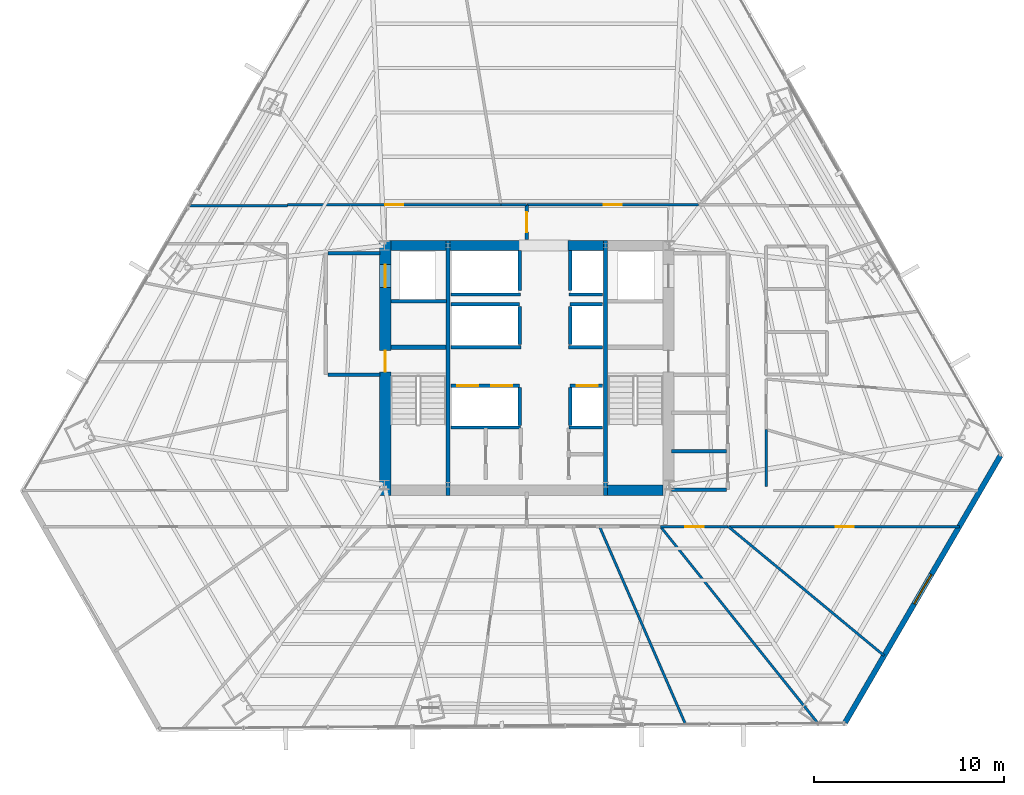
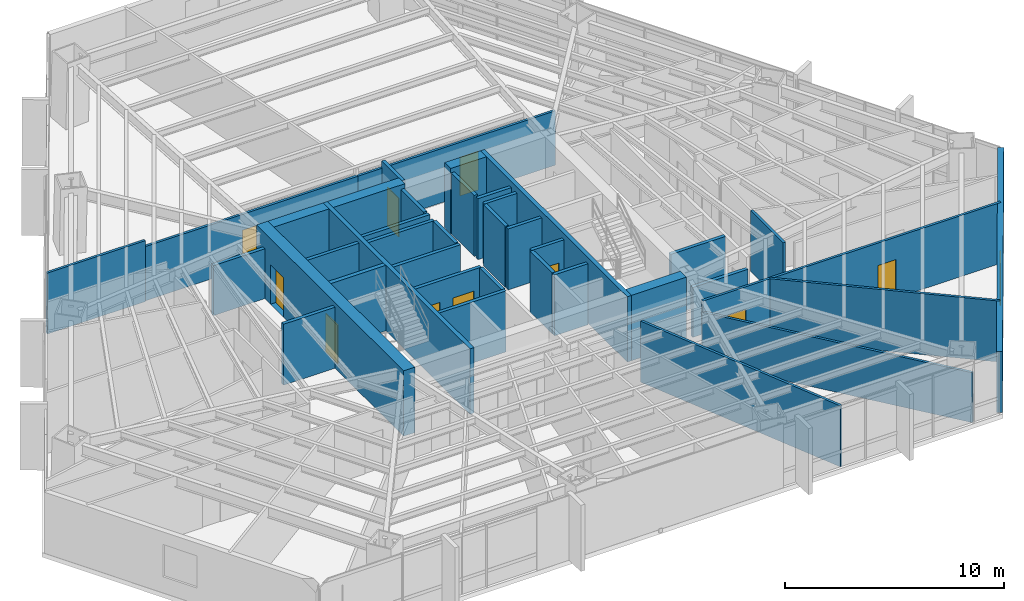
# One storey, part 33 of 38: 41 walls, 10 doors, 1 window, 11 openings.
"""IFC4 building model written with IfcOpenShell, lengths in metres."""

from ifc_helpers import new_model, si_unit, direction, frame, frame_2d, origin, place, context, subcontext, project, spatial, rectangle, extrude, material, layer, layer_set, type_object, element, fill, save


model = new_model("IFC4")

# Units and contexts
model_context = context("Model", 3, precision=1e-05, world=origin(), true_north=direction((0.0, 1.0)))
body_context = subcontext(model_context, "Body", "Model", "MODEL_VIEW")
ifc_project = project(units=[si_unit("LENGTHUNIT", "METRE"), si_unit("AREAUNIT", "SQUARE_METRE"), si_unit("VOLUMEUNIT", "CUBIC_METRE"), si_unit("PLANEANGLEUNIT", "RADIAN"), si_unit("MASSUNIT", "GRAM", prefix="KILO")], contexts=[model_context])

# Site, building, storey
site_placement = place(None, origin())
site = spatial("IfcSite", under=ifc_project, at=site_placement, CompositionType="ELEMENT")
building_placement = place(site_placement, origin())
building = spatial("IfcBuilding", under=site, at=building_placement, Name="Caelisora Broadcast Tower", CompositionType="ELEMENT")
storey_placement = place(building_placement, frame((0.0, 0.0, 67.75)))
storey = spatial("IfcBuildingStorey", under=building, at=storey_placement, Name="L17", CompositionType="ELEMENT", Elevation=67.75)

# Wall, openings, doors
ifc_material_1 = material(Name="Concrete 65 MPa (AS 3600 S65)", Category="concrete")
ifc_layer_1 = layer(ifc_material_1, 0.60009765625, Name="Concrete 65 MPa (AS 3600 S65)")
ifc_layer_set_1 = layer_set([ifc_layer_1], Name="Concrete 65 MPa (AS 3600 S65)")
wall_type_1 = type_object("IfcWallType", Name="CW1", PredefinedType="SHEAR", material=ifc_layer_set_1)
wall_1_placement = place(storey_placement, frame((30.5400390625, 16.85009765625, 0.0), z_axis=(0.0, 0.0, 1.0), x_axis=(0.0, 1.0, 0.0)))
wall_1 = element("IfcWall", 1, at=wall_1_placement, inside=storey, type_object=wall_type_1, Name="L17 core shear wall CW1", PredefinedType="SHEAR", context=body_context, shape_type="SweptSolid", body=[
    extrude(rectangle(XDim=13.4248046875, YDim=0.60009765625, at=frame_2d((6.71240234375, 0.0))), origin(), (0.0, 0.0, 1.0), 3.64990234375),
])
opening_1_placement = place(wall_1_placement, frame((6.5, 0.0, 0.0)))
opening_1 = element("IfcOpeningElement", 2, at=opening_1_placement, cuts=wall_1, Name="Opening FD04", PredefinedType="OPENING", context=body_context, shape_type="SweptSolid", body=[
    extrude(rectangle(XDim=1.1201171875, YDim=2.14990234375, at=frame_2d((0.56005859375, 1.074951171875))), frame((0.0, 0.31201171875, 0.0), z_axis=(0.0, -1.0, 0.0), x_axis=(1.0, 0.0, 0.0)), (0.0, 0.0, 1.0), 0.6240234375),
])
opening_2_placement = place(wall_1_placement, frame((10.949951171875, 0.0, 0.0)))
opening_2 = element("IfcOpeningElement", 3, at=opening_2_placement, cuts=wall_1, Name="Opening LD04", PredefinedType="OPENING", context=body_context, shape_type="SweptSolid", body=[
    extrude(rectangle(XDim=1.199951171875, YDim=2.199951171875, at=frame_2d((0.60009765625, 1.10009765625))), frame((0.0, 0.31201171875, 0.0), z_axis=(0.0, -1.0, 0.0), x_axis=(1.0, 0.0, 0.0)), (0.0, 0.0, 1.0), 0.6240234375),
])
ifc_material_2 = material(Name="Pressurised Fire-Isolated Stair Door", Category="steel")
door_type_1 = type_object("IfcDoorType", Name="FD04", OperationType="NOTDEFINED", PredefinedType="DOOR", material=ifc_material_2)
door_1_placement = place(opening_1_placement, origin())
door_1 = element("IfcDoor", 4, at=door_1_placement, inside=storey, type_object=door_type_1, Name="L17 door FD04 (L17-DR-ST1)", OperationType="SINGLE_SWING_LEFT", OverallHeight=2.14990234375, OverallWidth=1.1201171875, PredefinedType="DOOR", context=body_context, shape_type="SweptSolid", body=[
    extrude(rectangle(XDim=1.1201171875, YDim=2.14990234375, at=frame_2d((0.56005859375, 1.074951171875))), frame((0.0, 0.02490234375, 0.0), z_axis=(0.0, -1.0, 0.0), x_axis=(1.0, 0.0, 0.0)), (0.0, 0.0, 1.0), 0.050048828125),
])
fill(opening_1, door_1)
ifc_material_3 = material(Name="Emergency Firefighting Lift Sliding Landing Door", Category="steel")
door_type_2 = type_object("IfcDoorType", Name="LD04", OperationType="NOTDEFINED", PredefinedType="DOOR", material=ifc_material_3)
door_2_placement = place(opening_2_placement, origin())
door_2 = element("IfcDoor", 5, at=door_2_placement, inside=storey, type_object=door_type_2, Name="L17 door LD04 (L17-LD-FFL1)", OperationType="SLIDING_TO_LEFT", OverallHeight=2.199951171875, OverallWidth=1.199951171875, PredefinedType="DOOR", context=body_context, shape_type="SweptSolid", body=[
    extrude(rectangle(XDim=1.199951171875, YDim=2.199951171875, at=frame_2d((0.60009765625, 1.10009765625))), frame((0.0, 0.02490234375, 0.0), z_axis=(0.0, -1.0, 0.0), x_axis=(1.0, 0.0, 0.0)), (0.0, 0.0, 1.0), 0.050048828125),
])
fill(opening_2, door_2)

# Walls
ifc_layer_2 = layer(ifc_material_1, 0.550048828125, Name="Concrete 65 MPa (AS 3600 S65)")
ifc_layer_set_2 = layer_set([ifc_layer_2], Name="Concrete 65 MPa (AS 3600 S65)")
wall_type_2 = type_object("IfcWallType", Name="CW4", PredefinedType="SHEAR", material=ifc_layer_set_2)
for number, where, z_axis, x_axis, name in (
    (6, (42.260009765625, 17.125, 0.0), (0.0, 0.0, 1.0), (1.0, 0.0, 0.0), "L17 core shear wall CW4"),
    (7, (30.840087890625, 30.0, 0.0), (0.0, 0.0, 1.0), (1.0, 0.0, 0.0), "L17 core shear wall CW4"),
):
    element("IfcWall", number, at=place(storey_placement, frame(where, z_axis=z_axis, x_axis=x_axis)), inside=storey, type_object=wall_type_2, Name=name, PredefinedType="SHEAR", context=body_context, shape_type="SweptSolid", body=[
        extrude(rectangle(XDim=2.89990234375, YDim=0.550048828125, at=frame_2d((1.449951171875, 0.0))), origin(), (0.0, 0.0, 1.0), 3.64990234375),
    ])
wall_2_placement = place(storey_placement, frame((33.9599609375, 30.0, 0.0), z_axis=(0.0, 0.0, 1.0), x_axis=(1.0, 0.0, 0.0)))
element("IfcWall", 8, at=wall_2_placement, inside=storey, type_object=wall_type_2, Name="L17 core shear wall CW4", PredefinedType="SHEAR", context=body_context, shape_type="SweptSolid", body=[
    extrude(rectangle(XDim=3.780029296875, YDim=0.550048828125, at=frame_2d((1.89013671875, 0.0))), origin(), (0.0, 0.0, 1.0), 3.64990234375),
])
wall_3_placement = place(storey_placement, frame((40.159912109375, 30.0, 0.0), z_axis=(0.0, 0.0, 1.0), x_axis=(1.0, 0.0, 0.0)))
element("IfcWall", 9, at=wall_3_placement, inside=storey, type_object=wall_type_2, Name="L17 core shear wall CW4", PredefinedType="SHEAR", context=body_context, shape_type="SweptSolid", body=[
    extrude(rectangle(XDim=1.880126953125, YDim=0.550048828125, at=frame_2d((0.93994140625, 0.0))), origin(), (0.0, 0.0, 1.0), 3.64990234375),
])
ifc_material_4 = material(Name="Concrete 50 MPa (AS 3600 S50)", Category="concrete")
ifc_layer_3 = layer(ifc_material_4, 0.219970703125, Name="Concrete 50 MPa (AS 3600 S50)")
ifc_layer_set_3 = layer_set([ifc_layer_3], Name="Concrete 50 MPa (AS 3600 S50)")
wall_type_3 = type_object("IfcWallType", Name="CW7", PredefinedType="SHEAR", material=ifc_layer_set_3)
for number, where, z_axis, x_axis, name in (
    (10, (33.85009765625, 16.85009765625, 0.0), (0.0, 0.0, 1.0), (0.0, 1.0, 0.0), "L17 core shear wall CW7"),
    (11, (42.14990234375, 16.85009765625, 0.0), (0.0, 0.0, 1.0), (0.0, 1.0, 0.0), "L17 core shear wall CW7"),
):
    element("IfcWall", number, at=place(storey_placement, frame(where, z_axis=z_axis, x_axis=x_axis)), inside=storey, type_object=wall_type_3, Name=name, PredefinedType="SHEAR", context=body_context, shape_type="SweptSolid", body=[
        extrude(rectangle(XDim=13.4248046875, YDim=0.219970703125, at=frame_2d((6.71240234375, 0.0))), origin(), (0.0, 0.0, 1.0), 3.64990234375),
    ])
wall_4_placement = place(storey_placement, frame((30.840087890625, 24.639892578125, 0.0), z_axis=(0.0, 0.0, 1.0), x_axis=(1.0, 0.0, 0.0)))
element("IfcWall", 12, at=wall_4_placement, inside=storey, type_object=wall_type_3, Name="L17 core shear wall CW7", PredefinedType="SHEAR", context=body_context, shape_type="SweptSolid", body=[
    extrude(rectangle(XDim=2.89990234375, YDim=0.219970703125, at=frame_2d((1.449951171875, 0.0))), origin(), (0.0, 0.0, 1.0), 3.64990234375),
])

# Wall, opening, window
ifc_material_5 = material(Name="Insulated Terracotta Spandrel Wall System", Category="masonry")
ifc_layer_4 = layer(ifc_material_5, 0.280029296875, Name="Insulated Terracotta Spandrel Wall System")
ifc_layer_set_4 = layer_set([ifc_layer_4], Name="Insulated Terracotta Spandrel Wall System")
wall_type_4 = type_object("IfcWallType", Name="EW1", PredefinedType="STANDARD", material=ifc_layer_set_4)
wall_5_placement = place(storey_placement, frame((62.93798828125, 18.93310546875, 0.0), z_axis=(0.0, 0.0, 1.0), x_axis=(-0.502946407574, -0.864317598518, 0.0)))
wall_5 = element("IfcWall", 13, at=wall_5_placement, inside=storey, type_object=wall_type_4, Name="L17 exterior envelope wall EW1", PredefinedType="STANDARD", context=body_context, shape_type="SweptSolid", body=[
    extrude(rectangle(XDim=16.25830078125, YDim=0.280029296875, at=frame_2d((8.129150390625, 0.0))), origin(), (0.0, 0.0, 1.0), 3.39990234375),
])
opening_3_placement = place(wall_5_placement, frame((7.22998046875, 0.0, 0.89990234375)))
opening_3 = element("IfcOpeningElement", 14, at=opening_3_placement, cuts=wall_5, Name="Opening W01", PredefinedType="OPENING", context=body_context, shape_type="SweptSolid", body=[
    extrude(rectangle(XDim=1.800048828125, YDim=1.800048828125, at=frame_2d((0.89990234375, 0.89990234375))), frame((0.0, 0.152099609375, 0.0), z_axis=(0.0, -1.0, 0.0), x_axis=(1.0, 0.0, 0.0)), (0.0, 0.0, 1.0), 0.303955078125),
])
ifc_material_6 = material(Name="Double Glazed Terracotta-Framed Vision Window", Category="glass")
window_type = type_object("IfcWindowType", Name="W01", PartitioningType="SINGLE_PANEL", PredefinedType="WINDOW", material=ifc_material_6)
window_placement = place(opening_3_placement, origin())
window = element("IfcWindow", 15, at=window_placement, inside=storey, type_object=window_type, Name="L17 window W01 (L17-WN-CH0)", OverallHeight=1.800048828125, OverallWidth=1.800048828125, PartitioningType="SINGLE_PANEL", PredefinedType="WINDOW", context=body_context, shape_type="SweptSolid", body=[
    extrude(rectangle(XDim=1.800048828125, YDim=1.800048828125, at=frame_2d((0.89990234375, 0.89990234375))), frame((0.0, 0.030029296875, 0.0), z_axis=(0.0, -1.0, 0.0), x_axis=(1.0, 0.0, 0.0)), (0.0, 0.0, 1.0), 0.06005859375),
])
fill(opening_3, window)

# Wall, openings, doors
ifc_material_7 = material(Name="Fire-Rated Gypsum Shaft and Compartment Wall", Category="gypsum")
ifc_layer_5 = layer(ifc_material_7, 0.179931640625, Name="Fire-Rated Gypsum Shaft and Compartment Wall")
ifc_layer_set_5 = layer_set([ifc_layer_5], Name="Fire-Rated Gypsum Shaft and Compartment Wall")
wall_type_5 = type_object("IfcWallType", Name="PW2", PredefinedType="PARTITIONING", material=ifc_layer_set_5)
wall_6_placement = place(storey_placement, frame((34.02001953125, 22.6201171875, 0.0), z_axis=(0.0, 0.0, 1.0), x_axis=(1.0, 0.0, 0.0)))
wall_6 = element("IfcWall", 16, at=wall_6_placement, inside=storey, type_object=wall_type_5, Name="L17 fire compartment wall PW2", PredefinedType="PARTITIONING", context=body_context, shape_type="SweptSolid", body=[
    extrude(rectangle(XDim=3.60009765625, YDim=0.179931640625, at=frame_2d((1.800048828125, 0.0))), origin(), (0.0, 0.0, 1.0), 3.39990234375),
])
opening_4_placement = place(wall_6_placement, frame((0.320068359375, 0.0, 0.0)))
opening_4 = element("IfcOpeningElement", 17, at=opening_4_placement, cuts=wall_6, Name="Opening LD01", PredefinedType="OPENING", context=body_context, shape_type="SweptSolid", body=[
    extrude(rectangle(XDim=1.10009765625, YDim=2.199951171875, at=frame_2d((0.550048828125, 1.10009765625))), frame((0.0, 0.10205078125, 0.0), z_axis=(0.0, -1.0, 0.0), x_axis=(1.0, 0.0, 0.0)), (0.0, 0.0, 1.0), 0.203857421875),
])
opening_5_placement = place(wall_6_placement, frame((2.1201171875, 0.0, 0.0)))
opening_5 = element("IfcOpeningElement", 18, at=opening_5_placement, cuts=wall_6, Name="Opening LD01", PredefinedType="OPENING", context=body_context, shape_type="SweptSolid", body=[
    extrude(rectangle(XDim=1.10009765625, YDim=2.199951171875, at=frame_2d((0.550048828125, 1.10009765625))), frame((0.0, 0.10205078125, 0.0), z_axis=(0.0, -1.0, 0.0), x_axis=(1.0, 0.0, 0.0)), (0.0, 0.0, 1.0), 0.203857421875),
])
ifc_material_8 = material(Name="Stainless Steel Centre-Parting Lift Landing Door", Category="steel")
door_type_3 = type_object("IfcDoorType", Name="LD01", OperationType="NOTDEFINED", PredefinedType="DOOR", material=ifc_material_8)
door_3_placement = place(opening_4_placement, origin())
door_3 = element("IfcDoor", 19, at=door_3_placement, inside=storey, type_object=door_type_3, Name="L17 door LD01 (L17-LD-PLL1)", OperationType="SLIDING_TO_LEFT", OverallHeight=2.199951171875, OverallWidth=1.10009765625, PredefinedType="DOOR", context=body_context, shape_type="SweptSolid", body=[
    extrude(rectangle(XDim=1.10009765625, YDim=2.199951171875, at=frame_2d((0.550048828125, 1.10009765625))), frame((0.0, 0.02490234375, 0.0), z_axis=(0.0, -1.0, 0.0), x_axis=(1.0, 0.0, 0.0)), (0.0, 0.0, 1.0), 0.050048828125),
])
fill(opening_4, door_3)
door_4_placement = place(opening_5_placement, origin())
door_4 = element("IfcDoor", 20, at=door_4_placement, inside=storey, type_object=door_type_3, Name="L17 door LD01 (L17-LD-PLL2)", OperationType="SLIDING_TO_RIGHT", OverallHeight=2.199951171875, OverallWidth=1.10009765625, PredefinedType="DOOR", context=body_context, shape_type="SweptSolid", body=[
    extrude(rectangle(XDim=1.10009765625, YDim=2.199951171875, at=frame_2d((0.550048828125, 1.10009765625))), frame((0.0, 0.02490234375, 0.0), z_axis=(0.0, -1.0, 0.0), x_axis=(1.0, 0.0, 0.0)), (0.0, 0.0, 1.0), 0.050048828125),
])
fill(opening_5, door_4)

# Wall, opening, door
wall_7_placement = place(storey_placement, frame((40.280029296875, 22.6201171875, 0.0), z_axis=(0.0, 0.0, 1.0), x_axis=(1.0, 0.0, 0.0)))
wall_7 = element("IfcWall", 21, at=wall_7_placement, inside=storey, type_object=wall_type_5, Name="L17 fire compartment wall PW2", PredefinedType="PARTITIONING", context=body_context, shape_type="SweptSolid", body=[
    extrude(rectangle(XDim=1.699951171875, YDim=0.179931640625, at=frame_2d((0.85009765625, 0.0))), origin(), (0.0, 0.0, 1.0), 3.39990234375),
])
opening_6_placement = place(wall_7_placement, frame((0.35009765625, 0.0, 0.0)))
opening_6 = element("IfcOpeningElement", 22, at=opening_6_placement, cuts=wall_7, Name="Opening LD01", PredefinedType="OPENING", context=body_context, shape_type="SweptSolid", body=[
    extrude(rectangle(XDim=1.10009765625, YDim=2.199951171875, at=frame_2d((0.550048828125, 1.10009765625))), frame((0.0, 0.10205078125, 0.0), z_axis=(0.0, -1.0, 0.0), x_axis=(1.0, 0.0, 0.0)), (0.0, 0.0, 1.0), 0.203857421875),
])
door_5_placement = place(opening_6_placement, origin())
door_5 = element("IfcDoor", 23, at=door_5_placement, inside=storey, type_object=door_type_3, Name="L17 door LD01 (L17-LD-PLL3)", OperationType="SLIDING_TO_LEFT", OverallHeight=2.199951171875, OverallWidth=1.10009765625, PredefinedType="DOOR", context=body_context, shape_type="SweptSolid", body=[
    extrude(rectangle(XDim=1.10009765625, YDim=2.199951171875, at=frame_2d((0.550048828125, 1.10009765625))), frame((0.0, 0.02490234375, 0.0), z_axis=(0.0, -1.0, 0.0), x_axis=(1.0, 0.0, 0.0)), (0.0, 0.0, 1.0), 0.050048828125),
])
fill(opening_6, door_5)

# Walls
for number, where, z_axis, x_axis, name in (
    (24, (37.6201171875, 20.52001953125, 0.0), (0.0, 0.0, 1.0), (0.0, 1.0, 0.0), "L17 fire compartment wall PW2"),
    (25, (40.280029296875, 20.52001953125, 0.0), (0.0, 0.0, 1.0), (0.0, 1.0, 0.0), "L17 fire compartment wall PW2"),
):
    element("IfcWall", number, at=place(storey_placement, frame(where, z_axis=z_axis, x_axis=x_axis)), inside=storey, type_object=wall_type_5, Name=name, PredefinedType="PARTITIONING", context=body_context, shape_type="SweptSolid", body=[
        extrude(rectangle(XDim=2.0, YDim=0.179931640625, at=frame_2d((1.0, 0.0))), origin(), (0.0, 0.0, 1.0), 3.39990234375),
    ])
wall_8_placement = place(storey_placement, frame((34.02001953125, 26.89990234375, 0.0), z_axis=(0.0, 0.0, 1.0), x_axis=(1.0, 0.0, 0.0)))
element("IfcWall", 26, at=wall_8_placement, inside=storey, type_object=wall_type_5, Name="L17 fire compartment wall PW2", PredefinedType="PARTITIONING", context=body_context, shape_type="SweptSolid", body=[
    extrude(rectangle(XDim=3.60009765625, YDim=0.179931640625, at=frame_2d((1.800048828125, 0.0))), origin(), (0.0, 0.0, 1.0), 3.39990234375),
])
wall_9_placement = place(storey_placement, frame((40.280029296875, 26.89990234375, 0.0), z_axis=(0.0, 0.0, 1.0), x_axis=(1.0, 0.0, 0.0)))
element("IfcWall", 27, at=wall_9_placement, inside=storey, type_object=wall_type_5, Name="L17 fire compartment wall PW2", PredefinedType="PARTITIONING", context=body_context, shape_type="SweptSolid", body=[
    extrude(rectangle(XDim=1.699951171875, YDim=0.179931640625, at=frame_2d((0.85009765625, 0.0))), origin(), (0.0, 0.0, 1.0), 3.39990234375),
])
for number, where, z_axis, x_axis, name in (
    (28, (37.6201171875, 24.800048828125, 0.0), (0.0, 0.0, 1.0), (0.0, 1.0, 0.0), "L17 fire compartment wall PW2"),
    (29, (40.280029296875, 24.800048828125, 0.0), (0.0, 0.0, 1.0), (0.0, 1.0, 0.0), "L17 fire compartment wall PW2"),
):
    element("IfcWall", number, at=place(storey_placement, frame(where, z_axis=z_axis, x_axis=x_axis)), inside=storey, type_object=wall_type_5, Name=name, PredefinedType="PARTITIONING", context=body_context, shape_type="SweptSolid", body=[
        extrude(rectangle(XDim=2.0, YDim=0.179931640625, at=frame_2d((1.0, 0.0))), origin(), (0.0, 0.0, 1.0), 3.39990234375),
    ])
wall_10_placement = place(storey_placement, frame((34.02001953125, 24.639892578125, 0.0), z_axis=(0.0, 0.0, 1.0), x_axis=(1.0, 0.0, 0.0)))
element("IfcWall", 30, at=wall_10_placement, inside=storey, type_object=wall_type_5, Name="L17 fire compartment wall PW2", PredefinedType="PARTITIONING", context=body_context, shape_type="SweptSolid", body=[
    extrude(rectangle(XDim=3.679931640625, YDim=0.179931640625, at=frame_2d((1.83984375, 0.0))), origin(), (0.0, 0.0, 1.0), 3.39990234375),
])
wall_11_placement = place(storey_placement, frame((40.199951171875, 24.639892578125, 0.0), z_axis=(0.0, 0.0, 1.0), x_axis=(1.0, 0.0, 0.0)))
element("IfcWall", 31, at=wall_11_placement, inside=storey, type_object=wall_type_5, Name="L17 fire compartment wall PW2", PredefinedType="PARTITIONING", context=body_context, shape_type="SweptSolid", body=[
    extrude(rectangle(XDim=1.780029296875, YDim=0.179931640625, at=frame_2d((0.89013671875, 0.0))), origin(), (0.0, 0.0, 1.0), 3.39990234375),
])
wall_12_placement = place(storey_placement, frame((34.02001953125, 27.419921875, 0.0), z_axis=(0.0, 0.0, 1.0), x_axis=(1.0, 0.0, 0.0)))
element("IfcWall", 32, at=wall_12_placement, inside=storey, type_object=wall_type_5, Name="L17 fire compartment wall PW2", PredefinedType="PARTITIONING", context=body_context, shape_type="SweptSolid", body=[
    extrude(rectangle(XDim=3.659912109375, YDim=0.179931640625, at=frame_2d((1.830078125, 0.0))), origin(), (0.0, 0.0, 1.0), 3.39990234375),
])
wall_13_placement = place(storey_placement, frame((40.219970703125, 27.419921875, 0.0), z_axis=(0.0, 0.0, 1.0), x_axis=(1.0, 0.0, 0.0)))
element("IfcWall", 33, at=wall_13_placement, inside=storey, type_object=wall_type_5, Name="L17 fire compartment wall PW2", PredefinedType="PARTITIONING", context=body_context, shape_type="SweptSolid", body=[
    extrude(rectangle(XDim=1.760009765625, YDim=0.179931640625, at=frame_2d((0.8798828125, 0.0))), origin(), (0.0, 0.0, 1.0), 3.39990234375),
])
for number, where, z_axis, x_axis, name in (
    (34, (37.6201171875, 27.639892578125, 0.0), (0.0, 0.0, 1.0), (0.0, 1.0, 0.0), "L17 fire compartment wall PW2"),
    (35, (40.280029296875, 27.639892578125, 0.0), (0.0, 0.0, 1.0), (0.0, 1.0, 0.0), "L17 fire compartment wall PW2"),
):
    element("IfcWall", number, at=place(storey_placement, frame(where, z_axis=z_axis, x_axis=x_axis)), inside=storey, type_object=wall_type_5, Name=name, PredefinedType="PARTITIONING", context=body_context, shape_type="SweptSolid", body=[
        extrude(rectangle(XDim=2.110107421875, YDim=0.179931640625, at=frame_2d((1.05517578125, 0.0))), origin(), (0.0, 0.0, 1.0), 3.39990234375),
    ])
wall_14_placement = place(storey_placement, frame((27.52001953125, 23.199951171875, 0.0), z_axis=(0.0, 0.0, 1.0), x_axis=(1.0, 0.0, 0.0)))
element("IfcWall", 36, at=wall_14_placement, inside=storey, type_object=wall_type_5, Name="L17 fire compartment wall PW2", PredefinedType="PARTITIONING", context=body_context, shape_type="SweptSolid", body=[
    extrude(rectangle(XDim=2.760009765625, YDim=0.179931640625, at=frame_2d((1.3798828125, 0.0))), origin(), (0.0, 0.0, 1.0), 3.39990234375),
])
wall_15_placement = place(storey_placement, frame((27.52001953125, 29.60009765625, 0.0), z_axis=(0.0, 0.0, 1.0), x_axis=(1.0, 0.0, 0.0)))
element("IfcWall", 37, at=wall_15_placement, inside=storey, type_object=wall_type_5, Name="L17 fire compartment wall PW2", PredefinedType="PARTITIONING", context=body_context, shape_type="SweptSolid", body=[
    extrude(rectangle(XDim=2.760009765625, YDim=0.179931640625, at=frame_2d((1.3798828125, 0.0))), origin(), (0.0, 0.0, 1.0), 2.78271484375),
])
wall_16_placement = place(storey_placement, frame((30.860107421875, 27.070068359375, 0.0), z_axis=(0.0, 0.0, 1.0), x_axis=(1.0, 0.0, 0.0)))
element("IfcWall", 38, at=wall_16_placement, inside=storey, type_object=wall_type_5, Name="L17 fire compartment wall PW2", PredefinedType="PARTITIONING", context=body_context, shape_type="SweptSolid", body=[
    extrude(rectangle(XDim=2.89990234375, YDim=0.179931640625, at=frame_2d((1.449951171875, 0.0))), origin(), (0.0, 0.0, 1.0), 3.39990234375),
])
wall_17_placement = place(storey_placement, frame((34.02001953125, 20.419921875, 0.0), z_axis=(0.0, 0.0, 1.0), x_axis=(1.0, 0.0, 0.0)))
element("IfcWall", 39, at=wall_17_placement, inside=storey, type_object=wall_type_5, Name="L17 fire compartment wall PW2", PredefinedType="PARTITIONING", context=body_context, shape_type="SweptSolid", body=[
    extrude(rectangle(XDim=3.639892578125, YDim=0.179931640625, at=frame_2d((1.81982421875, 0.0))), origin(), (0.0, 0.0, 1.0), 3.39990234375),
])
wall_18_placement = place(storey_placement, frame((40.219970703125, 20.419921875, 0.0), z_axis=(0.0, 0.0, 1.0), x_axis=(1.0, 0.0, 0.0)))
element("IfcWall", 40, at=wall_18_placement, inside=storey, type_object=wall_type_5, Name="L17 fire compartment wall PW2", PredefinedType="PARTITIONING", context=body_context, shape_type="SweptSolid", body=[
    extrude(rectangle(XDim=1.760009765625, YDim=0.179931640625, at=frame_2d((0.8798828125, 0.0))), origin(), (0.0, 0.0, 1.0), 3.39990234375),
])
wall_19_placement = place(storey_placement, frame((45.6201171875, 19.169921875, 0.0), z_axis=(0.0, 0.0, 1.0), x_axis=(1.0, 0.0, 0.0)))
element("IfcWall", 41, at=wall_19_placement, inside=storey, type_object=wall_type_5, Name="L17 fire compartment wall PW2", PredefinedType="PARTITIONING", context=body_context, shape_type="SweptSolid", body=[
    extrude(rectangle(XDim=2.89990234375, YDim=0.179931640625, at=frame_2d((1.449951171875, 0.0))), origin(), (0.0, 0.0, 1.0), 3.39990234375),
])
wall_20_placement = place(storey_placement, frame((45.6201171875, 17.14990234375, 0.0), z_axis=(0.0, 0.0, 1.0), x_axis=(1.0, 0.0, 0.0)))
element("IfcWall", 42, at=wall_20_placement, inside=storey, type_object=wall_type_5, Name="L17 fire compartment wall PW2", PredefinedType="PARTITIONING", context=body_context, shape_type="SweptSolid", body=[
    extrude(rectangle(XDim=2.89990234375, YDim=0.179931640625, at=frame_2d((1.449951171875, 0.0))), origin(), (0.0, 0.0, 1.0), 2.78271484375),
])

# Wall, opening, door
wall_21_placement = place(storey_placement, frame((38.0, 30.320068359375, 0.0), z_axis=(0.0, 0.0, 1.0), x_axis=(0.0, 1.0, 0.0)))
wall_21 = element("IfcWall", 43, at=wall_21_placement, inside=storey, type_object=wall_type_5, Name="L17 fire compartment wall PW2", PredefinedType="PARTITIONING", context=body_context, shape_type="SweptSolid", body=[
    extrude(rectangle(XDim=1.824951171875, YDim=0.179931640625, at=frame_2d((0.91259765625, 0.0))), origin(), (0.0, 0.0, 1.0), 3.39990234375),
])
opening_7_placement = place(wall_21_placement, frame((0.387939453125, 0.0, 0.0)))
opening_7 = element("IfcOpeningElement", 44, at=opening_7_placement, cuts=wall_21, Name="Opening FD02", PredefinedType="OPENING", context=body_context, shape_type="SweptSolid", body=[
    extrude(rectangle(XDim=1.050048828125, YDim=2.14990234375, at=frame_2d((0.52490234375, 1.074951171875))), frame((0.0, 0.10205078125, 0.0), z_axis=(0.0, -1.0, 0.0), x_axis=(1.0, 0.0, 0.0)), (0.0, 0.0, 1.0), 0.203857421875),
])
ifc_material_9 = material(Name="Single-Leaf Steel Fire Lobby Door", Category="steel")
door_type_4 = type_object("IfcDoorType", Name="FD02", OperationType="NOTDEFINED", PredefinedType="DOOR", material=ifc_material_9)
door_6_placement = place(opening_7_placement, origin())
door_6 = element("IfcDoor", 45, at=door_6_placement, inside=storey, type_object=door_type_4, Name="L17 door FD02 (L17-DR-P74D1)", OperationType="SINGLE_SWING_RIGHT", OverallHeight=2.14990234375, OverallWidth=1.050048828125, PredefinedType="DOOR", context=body_context, shape_type="SweptSolid", body=[
    extrude(rectangle(XDim=1.050048828125, YDim=2.14990234375, at=frame_2d((0.52490234375, 1.074951171875))), frame((0.0, 0.02490234375, 0.0), z_axis=(0.0, -1.0, 0.0), x_axis=(1.0, 0.0, 0.0)), (0.0, 0.0, 1.0), 0.050048828125),
])
fill(opening_7, door_6)

# Wall
ifc_material_10 = material(Name="Acoustic Steel-Stud Plasterboard Partition", Category="gypsum")
ifc_layer_6 = layer(ifc_material_10, 0.1298828125, Name="Acoustic Steel-Stud Plasterboard Partition")
ifc_layer_set_6 = layer_set([ifc_layer_6], Name="Acoustic Steel-Stud Plasterboard Partition")
wall_type_6 = type_object("IfcWallType", Name="PW3", PredefinedType="PARTITIONING", material=ifc_layer_set_6)
wall_22_placement = place(storey_placement, frame((45.04296875, 15.196044921875, 0.0), z_axis=(0.0, 0.0, 1.0), x_axis=(0.62480053494, -0.780784407848, 0.0)))
element("IfcWall", 46, at=wall_22_placement, inside=storey, type_object=wall_type_6, Name="L17 internal partition PW3", PredefinedType="PARTITIONING", context=body_context, shape_type="SweptSolid", body=[
    extrude(rectangle(XDim=13.264892578125, YDim=0.1298828125, at=frame_2d((6.63232421875, 0.0))), origin(), (0.0, 0.0, 1.0), 2.78271484375),
])

# Wall, opening, door
wall_23_placement = place(storey_placement, frame((48.614990234375, 15.199951171875, 0.0), z_axis=(0.0, 0.0, 1.0), x_axis=(1.0, 0.0, 0.0)))
wall_23 = element("IfcWall", 47, at=wall_23_placement, inside=storey, type_object=wall_type_6, Name="L17 internal partition PW3", PredefinedType="PARTITIONING", context=body_context, shape_type="SweptSolid", body=[
    extrude(rectangle(XDim=12.156494140625, YDim=0.1298828125, at=frame_2d((6.078125, 0.0))), origin(), (0.0, 0.0, 1.0), 3.39990234375),
])
opening_8_placement = place(wall_23_placement, frame((5.652099609375, 0.0, 0.0)))
opening_8 = element("IfcOpeningElement", 48, at=opening_8_placement, cuts=wall_23, Name="Opening D01", PredefinedType="OPENING", context=body_context, shape_type="SweptSolid", body=[
    extrude(rectangle(XDim=0.9599609375, YDim=2.14990234375, at=frame_2d((0.47998046875, 1.074951171875))), frame((0.0, 0.076904296875, 0.0), z_axis=(0.0, -1.0, 0.0), x_axis=(1.0, 0.0, 0.0)), (0.0, 0.0, 1.0), 0.15380859375),
])
ifc_material_11 = material(Name="Solid-Core Timber Acoustic Office Door", Category="wood")
door_type_5 = type_object("IfcDoorType", Name="D01", OperationType="NOTDEFINED", PredefinedType="DOOR", material=ifc_material_11)
door_7_placement = place(opening_8_placement, origin())
door_7 = element("IfcDoor", 49, at=door_7_placement, inside=storey, type_object=door_type_5, Name="L17 door D01 (L17-DR-P38D1)", OperationType="SINGLE_SWING_LEFT", OverallHeight=2.14990234375, OverallWidth=0.9599609375, PredefinedType="DOOR", context=body_context, shape_type="SweptSolid", body=[
    extrude(rectangle(XDim=0.9599609375, YDim=2.14990234375, at=frame_2d((0.47998046875, 1.074951171875))), frame((0.0, 0.02490234375, 0.0), z_axis=(0.0, -1.0, 0.0), x_axis=(1.0, 0.0, 0.0)), (0.0, 0.0, 1.0), 0.050048828125),
])
fill(opening_8, door_7)

# Wall
wall_24_placement = place(storey_placement, frame((41.83203125, 15.195068359375, 0.0), z_axis=(0.0, 0.0, 1.0), x_axis=(0.398769355863, -0.917051253107, 0.0)))
element("IfcWall", 50, at=wall_24_placement, inside=storey, type_object=wall_type_6, Name="L17 internal partition PW3", PredefinedType="PARTITIONING", context=body_context, shape_type="SweptSolid", body=[
    extrude(rectangle(XDim=11.35400390625, YDim=0.1298828125, at=frame_2d((5.677001953125, 0.0))), origin(), (0.0, 0.0, 1.0), 3.39990234375),
])

# Wall, opening, door
wall_25_placement = place(storey_placement, frame((25.405029296875, 32.14990234375, 0.0), z_axis=(0.0, 0.0, 1.0), x_axis=(1.0, 0.0, 0.0)))
wall_25 = element("IfcWall", 51, at=wall_25_placement, inside=storey, type_object=wall_type_6, Name="L17 internal partition PW3", PredefinedType="PARTITIONING", context=body_context, shape_type="SweptSolid", body=[
    extrude(rectangle(XDim=11.22998046875, YDim=0.1298828125, at=frame_2d((5.614990234375, 0.0))), origin(), (0.0, 0.0, 1.0), 3.0263671875),
])
opening_9_placement = place(wall_25_placement, frame((5.135009765625, 0.0, 0.0)))
opening_9 = element("IfcOpeningElement", 52, at=opening_9_placement, cuts=wall_25, Name="Opening D01", PredefinedType="OPENING", context=body_context, shape_type="SweptSolid", body=[
    extrude(rectangle(XDim=0.9599609375, YDim=2.14990234375, at=frame_2d((0.47998046875, 1.074951171875))), frame((0.0, 0.076904296875, 0.0), z_axis=(0.0, -1.0, 0.0), x_axis=(1.0, 0.0, 0.0)), (0.0, 0.0, 1.0), 0.15380859375),
])
door_8_placement = place(opening_9_placement, origin())
door_8 = element("IfcDoor", 53, at=door_8_placement, inside=storey, type_object=door_type_5, Name="L17 door D01 (L17-DR-P43D1)", OperationType="SINGLE_SWING_RIGHT", OverallHeight=2.14990234375, OverallWidth=0.9599609375, PredefinedType="DOOR", context=body_context, shape_type="SweptSolid", body=[
    extrude(rectangle(XDim=0.9599609375, YDim=2.14990234375, at=frame_2d((0.47998046875, 1.074951171875))), frame((0.0, 0.02490234375, 0.0), z_axis=(0.0, -1.0, 0.0), x_axis=(1.0, 0.0, 0.0)), (0.0, 0.0, 1.0), 0.050048828125),
])
fill(opening_9, door_8)

# Wall
wall_26_placement = place(storey_placement, frame((48.614013671875, 15.197021484375, 0.0), z_axis=(0.0, 0.0, 1.0), x_axis=(0.770033143694, -0.638003885265, 0.0)))
element("IfcWall", 54, at=wall_26_placement, inside=storey, type_object=wall_type_6, Name="L17 internal partition PW3", PredefinedType="PARTITIONING", context=body_context, shape_type="SweptSolid", body=[
    extrude(rectangle(XDim=10.651123046875, YDim=0.1298828125, at=frame_2d((5.32568359375, 0.0))), origin(), (0.0, 0.0, 1.0), 3.39990234375),
])

# Wall, opening, door
wall_27_placement = place(storey_placement, frame((38.0048828125, 32.14990234375, 0.0), z_axis=(0.0, 0.0, 1.0), x_axis=(1.0, 0.0, 0.0)))
wall_27 = element("IfcWall", 55, at=wall_27_placement, inside=storey, type_object=wall_type_6, Name="L17 internal partition PW3", PredefinedType="PARTITIONING", context=body_context, shape_type="SweptSolid", body=[
    extrude(rectangle(XDim=9.0400390625, YDim=0.1298828125, at=frame_2d((4.52001953125, 0.0))), origin(), (0.0, 0.0, 1.0), 3.0263671875),
])
opening_10_placement = place(wall_27_placement, frame((4.0400390625, 0.0, 0.0)))
opening_10 = element("IfcOpeningElement", 56, at=opening_10_placement, cuts=wall_27, Name="Opening D01", PredefinedType="OPENING", context=body_context, shape_type="SweptSolid", body=[
    extrude(rectangle(XDim=0.9599609375, YDim=2.14990234375, at=frame_2d((0.47998046875, 1.074951171875))), frame((0.0, 0.076904296875, 0.0), z_axis=(0.0, -1.0, 0.0), x_axis=(1.0, 0.0, 0.0)), (0.0, 0.0, 1.0), 0.15380859375),
])
door_9_placement = place(opening_10_placement, origin())
door_9 = element("IfcDoor", 57, at=door_9_placement, inside=storey, type_object=door_type_5, Name="L17 door D01 (L17-DR-P51D1)", OperationType="SINGLE_SWING_RIGHT", OverallHeight=2.14990234375, OverallWidth=0.9599609375, PredefinedType="DOOR", context=body_context, shape_type="SweptSolid", body=[
    extrude(rectangle(XDim=0.9599609375, YDim=2.14990234375, at=frame_2d((0.47998046875, 1.074951171875))), frame((0.0, 0.02490234375, 0.0), z_axis=(0.0, -1.0, 0.0), x_axis=(1.0, 0.0, 0.0)), (0.0, 0.0, 1.0), 0.050048828125),
])
fill(opening_10, door_9)

# Wall
wall_28_placement = place(storey_placement, frame((20.218994140625, 32.10009765625, 0.0), z_axis=(0.0, 0.0, 1.0), x_axis=(1.0, 0.0, 0.0)))
element("IfcWall", 58, at=wall_28_placement, inside=storey, type_object=wall_type_6, Name="L17 internal partition PW3", PredefinedType="PARTITIONING", context=body_context, shape_type="SweptSolid", body=[
    extrude(rectangle(XDim=5.176025390625, YDim=0.1298828125, at=frame_2d((2.587890625, 0.0))), origin(), (0.0, 0.0, 1.0), 3.39990234375),
])

# Wall, opening, door
wall_29_placement = place(storey_placement, frame((45.044921875, 15.199951171875, 0.0), z_axis=(0.0, 0.0, 1.0), x_axis=(1.0, 0.0, 0.0)))
wall_29 = element("IfcWall", 59, at=wall_29_placement, inside=storey, type_object=wall_type_6, Name="L17 internal partition PW3", PredefinedType="PARTITIONING", context=body_context, shape_type="SweptSolid", body=[
    extrude(rectangle(XDim=3.56005859375, YDim=0.1298828125, at=frame_2d((1.780029296875, 0.0))), origin(), (0.0, 0.0, 1.0), 3.39990234375),
])
opening_11_placement = place(wall_29_placement, frame((1.300048828125, 0.0, 0.0)))
opening_11 = element("IfcOpeningElement", 60, at=opening_11_placement, cuts=wall_29, Name="Opening D01", PredefinedType="OPENING", context=body_context, shape_type="SweptSolid", body=[
    extrude(rectangle(XDim=0.9599609375, YDim=2.14990234375, at=frame_2d((0.47998046875, 1.074951171875))), frame((0.0, 0.076904296875, 0.0), z_axis=(0.0, -1.0, 0.0), x_axis=(1.0, 0.0, 0.0)), (0.0, 0.0, 1.0), 0.15380859375),
])
door_10_placement = place(opening_11_placement, origin())
door_10 = element("IfcDoor", 61, at=door_10_placement, inside=storey, type_object=door_type_5, Name="L17 door D01 (L17-DR-P60D1)", OperationType="SINGLE_SWING_LEFT", OverallHeight=2.14990234375, OverallWidth=0.9599609375, PredefinedType="DOOR", context=body_context, shape_type="SweptSolid", body=[
    extrude(rectangle(XDim=0.9599609375, YDim=2.14990234375, at=frame_2d((0.47998046875, 1.074951171875))), frame((0.0, 0.02490234375, 0.0), z_axis=(0.0, -1.0, 0.0), x_axis=(1.0, 0.0, 0.0)), (0.0, 0.0, 1.0), 0.050048828125),
])
fill(opening_11, door_10)

# Walls
wall_30_placement = place(storey_placement, frame((50.60009765625, 17.320068359375, 0.0), z_axis=(0.0, 0.0, 1.0), x_axis=(0.0, 1.0, 0.0)))
element("IfcWall", 62, at=wall_30_placement, inside=storey, type_object=wall_type_6, Name="L17 internal partition PW3", PredefinedType="PARTITIONING", context=body_context, shape_type="SweptSolid", body=[
    extrude(rectangle(XDim=2.98486328125, YDim=0.1298828125, at=frame_2d((1.492431640625, 0.0))), origin(), (0.0, 0.0, 1.0), 3.39990234375),
])
wall_31_placement = place(storey_placement, frame((36.64501953125, 32.14990234375, 0.0), z_axis=(0.0, 0.0, 1.0), x_axis=(1.0, 0.0, 0.0)))
element("IfcWall", 63, at=wall_31_placement, inside=storey, type_object=wall_type_6, Name="L17 internal partition PW3", PredefinedType="PARTITIONING", context=body_context, shape_type="SweptSolid", body=[
    extrude(rectangle(XDim=1.35009765625, YDim=0.1298828125, at=frame_2d((0.675048828125, 0.0))), origin(), (0.0, 0.0, 1.0), 3.0263671875),
])

save(model, "model.ifc")
